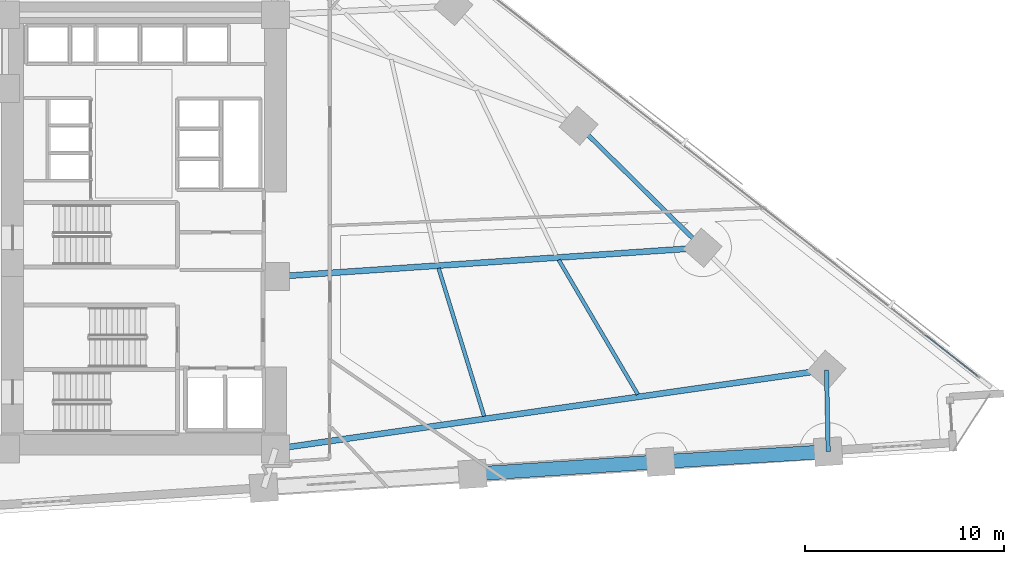
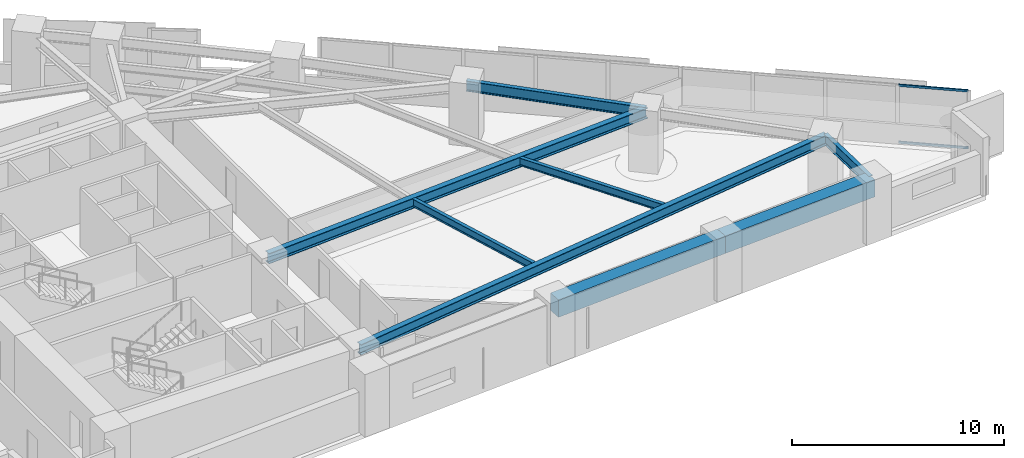
# One storey, part 3 of 16: 8 beams, 2 members, 1 element without a shape of its own.
"""IFC4 building model written with IfcOpenShell, lengths in metres."""

from ifc_helpers import new_model, si_unit, direction, frame, origin, origin_2d, place, context, subcontext, project, spatial, rectangle, hollow_rectangle, i_section, extrude, material, material_profile, profile_set, type_object, element, aggregate, save


model = new_model("IFC4")

# Units and contexts
model_context = context("Model", 3, precision=1e-05, world=origin(), true_north=direction((0.0, 1.0)))
body_context = subcontext(model_context, "Body", "Model", "MODEL_VIEW")
ifc_project = project(units=[si_unit("LENGTHUNIT", "METRE"), si_unit("AREAUNIT", "SQUARE_METRE"), si_unit("VOLUMEUNIT", "CUBIC_METRE"), si_unit("PLANEANGLEUNIT", "RADIAN"), si_unit("MASSUNIT", "GRAM", prefix="KILO")], contexts=[model_context])

# Site, building, storey
site_placement = place(None, origin())
site = spatial("IfcSite", under=ifc_project, at=site_placement, CompositionType="ELEMENT")
building_placement = place(site_placement, origin())
building = spatial("IfcBuilding", under=site, at=building_placement, Name="Narakoshi Arena Tower", CompositionType="ELEMENT")
storey_placement = place(building_placement, frame((0.0, 0.0, 81.300048828125)))
storey = spatial("IfcBuildingStorey", under=building, at=storey_placement, Name="L21", CompositionType="ELEMENT", Elevation=81.300048828125)

# Beams
ifc_material_1 = material(Name="Concrete C60/75", Category="concrete")
ifc_material_profile_1 = material_profile(ifc_material_1, rectangle(XDim=0.699951171875, YDim=1.0, at=origin_2d()), Name="RCB700x1000")
ifc_profile_set_1 = profile_set([ifc_material_profile_1], Name="Concrete C60/75")
beam_type_1 = type_object("IfcBeamType", Name="BM-CPL-1000", PredefinedType="BEAM", material=ifc_profile_set_1)
beam_1_placement = place(storey_placement, frame((95.44189453125, 33.43798828125, 2.83984375), z_axis=(0.997857667494, 0.065422285367, 0.0), x_axis=(-0.065422285367, 0.997857667494, 0.0)))
element("IfcBeam", 1, at=beam_1_placement, inside=storey, type_object=beam_type_1, Name="L21 Perimeter Edge Girder 02", PredefinedType="BEAM", context=body_context, shape_type="SweptSolid", body=[
    extrude(rectangle(XDim=0.699951171875, YDim=1.0, at=origin_2d()), origin(), (0.0, 0.0, 1.0), 9.456298828125),
])
beam_2_placement = place(storey_placement, frame((104.8779296875, 34.056640625, 2.83984375), z_axis=(0.998193929855, 0.060073941104, 0.0), x_axis=(-0.060073941104, 0.998193929855, 0.0)))
element("IfcBeam", 2, at=beam_2_placement, inside=storey, type_object=beam_type_1, Name="L21 Perimeter Edge Girder 03", PredefinedType="BEAM", context=body_context, shape_type="SweptSolid", body=[
    extrude(rectangle(XDim=0.699951171875, YDim=1.0, at=origin_2d()), origin(), (0.0, 0.0, 1.0), 8.436767578125),
])
ifc_material_2 = material(Name="Structural steel S355J2", Category="steel")
ifc_material_profile_2 = material_profile(ifc_material_2, i_section(OverallWidth=0.219970703125, OverallDepth=0.60009765625, WebThickness=0.011962890625, FlangeThickness=0.01904296875, FilletRadius=0.02392578125, at=origin_2d()), Name="IPE600")
ifc_profile_set_2 = profile_set([ifc_material_profile_2], Name="Structural steel S355J2")
beam_type_2 = type_object("IfcBeamType", Name="BM-EDGE-600", PredefinedType="BEAM", material=ifc_profile_set_2)
beam_3_placement = place(storey_placement, frame((113.299560546875, 34.5634765625, 3.0400390625), z_axis=(-0.020272933264, 0.99979448297, 0.0), x_axis=(-0.99979448297, -0.020272933264, 0.0)))
element("IfcBeam", 3, at=beam_3_placement, inside=storey, type_object=beam_type_2, Name="L21 Perimeter Edge Girder 04", PredefinedType="BEAM", context=body_context, shape_type="SweptSolid", body=[
    extrude(i_section(OverallWidth=0.219970703125, OverallDepth=0.60009765625, WebThickness=0.011962890625, FlangeThickness=0.01904296875, FilletRadius=0.02392578125, at=origin_2d()), origin(), (0.0, 0.0, 1.0), 4.1064453125),
])
beam_4_placement = place(storey_placement, frame((106.989990234375, 44.800537109375, 3.0400390625), z_axis=(-0.71256144736, 0.701609708981, 0.0), x_axis=(-0.701609708981, -0.71256144736, 0.0)))
element("IfcBeam", 4, at=beam_4_placement, inside=storey, type_object=beam_type_2, Name="L21 Perimeter Edge Girder 06", PredefinedType="BEAM", context=body_context, shape_type="SweptSolid", body=[
    extrude(i_section(OverallWidth=0.219970703125, OverallDepth=0.60009765625, WebThickness=0.011962890625, FlangeThickness=0.01904296875, FilletRadius=0.02392578125, at=origin_2d()), origin(), (0.0, 0.0, 1.0), 8.738525390625),
])
ifc_material_profile_3 = material_profile(ifc_material_2, i_section(OverallWidth=0.300048828125, OverallDepth=0.60009765625, WebThickness=0.015380859375, FlangeThickness=0.030029296875, FilletRadius=0.027099609375, at=origin_2d()), Name="HE600B")
ifc_profile_set_3 = profile_set([ifc_material_profile_3], Name="Structural steel S355J2")
beam_type_3 = type_object("IfcBeamType", Name="BM-PRI-600", PredefinedType="BEAM", material=ifc_profile_set_3)
beam_5_placement = place(storey_placement, frame((85.550048828125, 34.699951171875, 3.0400390625), z_axis=(0.989864586002, 0.142014440741, 0.0), x_axis=(-0.142014440741, 0.989864586002, 0.0)))
element("IfcBeam", 5, at=beam_5_placement, inside=storey, type_object=beam_type_3, Name="L21 Radial Primary Floor Girder 05", PredefinedType="BEAM", context=body_context, shape_type="SweptSolid", body=[
    extrude(i_section(OverallWidth=0.300048828125, OverallDepth=0.60009765625, WebThickness=0.015380859375, FlangeThickness=0.030029296875, FilletRadius=0.027099609375, at=origin_2d()), origin(), (0.0, 0.0, 1.0), 27.949462890625),
])
beam_6_placement = place(storey_placement, frame((85.550048828125, 43.35009765625, 3.0400390625), z_axis=(0.997719477205, 0.067496998498, 0.0), x_axis=(-0.067496998498, 0.997719477205, 0.0)))
element("IfcBeam", 6, at=beam_6_placement, inside=storey, type_object=beam_type_3, Name="L21 Radial Primary Floor Girder 06", PredefinedType="BEAM", context=body_context, shape_type="SweptSolid", body=[
    extrude(i_section(OverallWidth=0.300048828125, OverallDepth=0.60009765625, WebThickness=0.015380859375, FlangeThickness=0.030029296875, FilletRadius=0.027099609375, at=origin_2d()), origin(), (0.0, 0.0, 1.0), 21.489013671875),
])
ifc_material_profile_4 = material_profile(ifc_material_2, i_section(OverallWidth=0.18994140625, OverallDepth=0.449951171875, WebThickness=0.009521484375, FlangeThickness=0.0146484375, FilletRadius=0.02099609375, at=origin_2d()), Name="IPE450")
ifc_profile_set_4 = profile_set([ifc_material_profile_4], Name="Structural steel S355J2")
beam_type_4 = type_object("IfcBeamType", Name="BM-SEC-450", PredefinedType="JOIST", material=ifc_profile_set_4)
beam_7_placement = place(storey_placement, frame((96.0234375, 36.33740234375, 3.114990234375), z_axis=(-0.293966747192, 0.955815647259, 0.0), x_axis=(-0.955815647259, -0.293966747192, 0.0)))
element("IfcBeam", 7, at=beam_7_placement, inside=storey, type_object=beam_type_4, Name="L21 Composite Secondary Floor Joist 01", PredefinedType="JOIST", context=body_context, shape_type="SweptSolid", body=[
    extrude(i_section(OverallWidth=0.18994140625, OverallDepth=0.449951171875, WebThickness=0.009521484375, FlangeThickness=0.0146484375, FilletRadius=0.02099609375, at=origin_2d()), origin(), (0.0, 0.0, 1.0), 7.778564453125),
])
beam_8_placement = place(storey_placement, frame((103.741455078125, 37.43603515625, 3.114990234375), z_axis=(-0.50694388047, 0.861979061262, 0.0), x_axis=(-0.861979061262, -0.50694388047, 0.0)))
element("IfcBeam", 8, at=beam_8_placement, inside=storey, type_object=beam_type_4, Name="L21 Composite Secondary Floor Joist 02", PredefinedType="JOIST", context=body_context, shape_type="SweptSolid", body=[
    extrude(i_section(OverallWidth=0.18994140625, OverallDepth=0.449951171875, WebThickness=0.009521484375, FlangeThickness=0.0146484375, FilletRadius=0.02099609375, at=origin_2d()), origin(), (0.0, 0.0, 1.0), 7.83642578125),
])

# Curtain wall, members
ifc_material_3 = material(Name="Anodised bronze aluminium 6063-T6", Category="aluminium")
curtain_wall_type = type_object("IfcCurtainWallType", Name="CW-HYP-LOW", PredefinedType="NOTDEFINED", material=ifc_material_3)
curtain_wall_placement = place(storey_placement, origin())
curtain_wall = element("IfcCurtainWall", 9, at=curtain_wall_placement, inside=storey, type_object=curtain_wall_type, Name="L21 Folded Hypotenuse Curtain Wall 1-1", PredefinedType="NOTDEFINED")
ifc_material_profile_5 = material_profile(ifc_material_3, hollow_rectangle(XDim=0.06494140625, YDim=0.1298828125, WallThickness=0.00390625, OuterFilletRadius=0.0048828125, at=origin_2d()), Name="TRN130x65x4")
ifc_profile_set_5 = profile_set([ifc_material_profile_5], Name="Anodised bronze aluminium 6063-T6")
member_type = type_object("IfcMemberType", Name="MEM-TRN-130", PredefinedType="USERDEFINED", material=ifc_profile_set_5)
member_1_placement = place(storey_placement, frame((120.802978515625, 38.359130859375, 0.032470703125), z_axis=(-0.787347227026, 0.616509808596, 0.0), x_axis=(-0.616509808596, -0.787347227026, 0.0)))
member_1 = element("IfcMember", 10, at=member_1_placement, type_object=member_type, Name="CW-01 transom 1.1", ObjectType="TRANSOM", PredefinedType="USERDEFINED", context=body_context, shape_type="SweptSolid", body=[
    extrude(hollow_rectangle(XDim=0.06494140625, YDim=0.1298828125, WallThickness=0.00390625, OuterFilletRadius=0.0048828125, at=origin_2d()), origin(), (0.0, 0.0, 1.0), 3.331298828125),
])
member_2_placement = place(storey_placement, frame((120.802978515625, 38.359130859375, 3.307373046875), z_axis=(-0.787347227026, 0.616509808596, 0.0), x_axis=(-0.616509808596, -0.787347227026, 0.0)))
member_2 = element("IfcMember", 11, at=member_2_placement, type_object=member_type, Name="CW-01 transom 1.2", ObjectType="TRANSOM", PredefinedType="USERDEFINED", context=body_context, shape_type="SweptSolid", body=[
    extrude(hollow_rectangle(XDim=0.06494140625, YDim=0.1298828125, WallThickness=0.00390625, OuterFilletRadius=0.0048828125, at=origin_2d()), origin(), (0.0, 0.0, 1.0), 3.331298828125),
])
aggregate(curtain_wall, [member_1, member_2])

save(model, "model.ifc")
